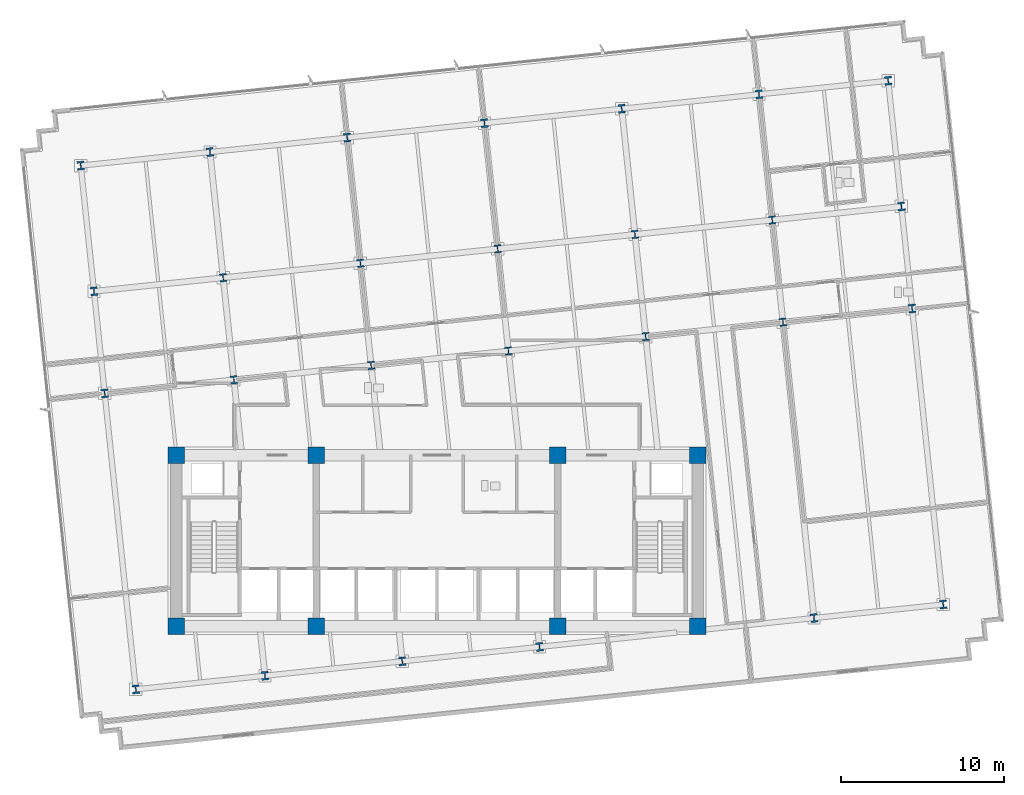
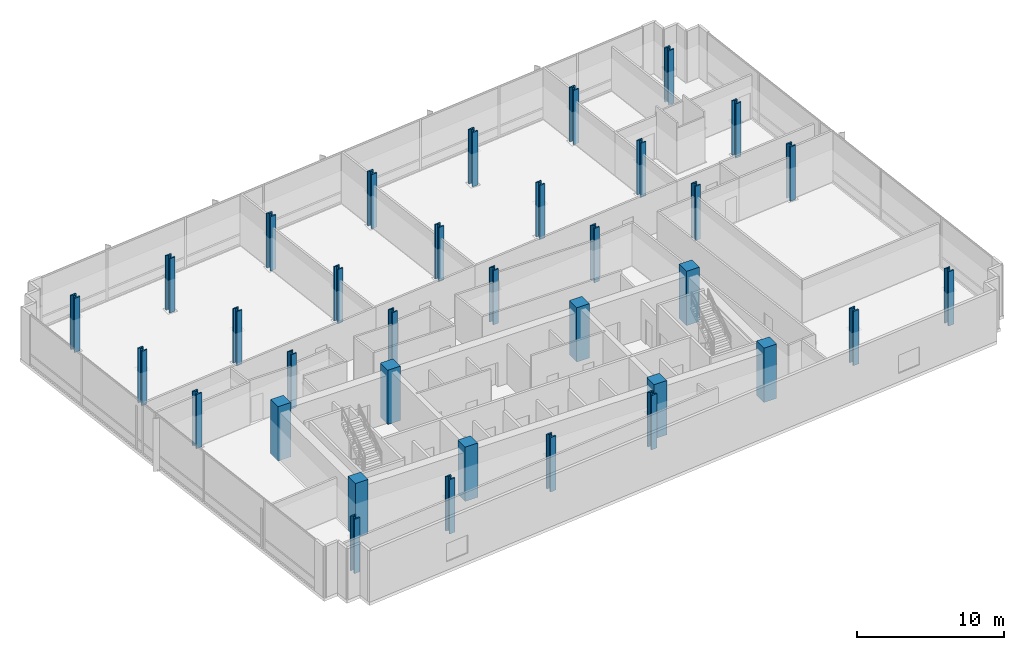
# One storey, part 1 of 20: 35 columns.
"""IFC4 building model written with IfcOpenShell, lengths in metres."""

from ifc_helpers import new_model, si_unit, direction, frame, origin, origin_2d, place, context, subcontext, project, spatial, rectangle, i_section, extrude, material, material_profile, profile_set, type_object, element, save


model = new_model("IFC4")

# Units and contexts
model_context = context("Model", 3, precision=1e-05, world=origin(), true_north=direction((0.0, 1.0)))
body_context = subcontext(model_context, "Body", "Model", "MODEL_VIEW")
ifc_project = project(units=[si_unit("LENGTHUNIT", "METRE"), si_unit("AREAUNIT", "SQUARE_METRE"), si_unit("VOLUMEUNIT", "CUBIC_METRE"), si_unit("PLANEANGLEUNIT", "RADIAN"), si_unit("MASSUNIT", "GRAM", prefix="KILO")], contexts=[model_context])

# Site, building, storey
site_placement = place(None, origin())
site = spatial("IfcSite", under=ifc_project, at=site_placement, CompositionType="ELEMENT")
building_placement = place(site_placement, origin())
building = spatial("IfcBuilding", under=site, at=building_placement, Name="Solmavex Isthmus Hotel", CompositionType="ELEMENT")
storey_placement = place(building_placement, frame((0.0, 0.0, 101.85009765625)))
storey = spatial("IfcBuildingStorey", under=building, at=storey_placement, Name="L27", CompositionType="ELEMENT", Elevation=101.85009765625)

# Columns
ifc_material_1 = material(Name="Concrete C60/75", Category="concrete")
ifc_material_profile_1 = material_profile(ifc_material_1, rectangle(XDim=1.0, YDim=1.0, at=origin_2d()), Name="RC1000X1000")
ifc_profile_set_1 = profile_set([ifc_material_profile_1], Name="Concrete C60/75")
column_type_1 = type_object("IfcColumnType", Name="COL-CC-1000", PredefinedType="COLUMN", material=ifc_profile_set_1)
for number, where, z_axis, x_axis, name in (
    (1, (-16.0, -13.0, 0.0), (0.0, 0.0, 1.0), (1.0, 0.0, 0.0), "Core Pilaster CC-SW L27"),
    (2, (-7.39990234375, -13.0, 0.0), (0.0, 0.0, 1.0), (1.0, 0.0, 0.0), "Core Pilaster CC-S1 L27"),
    (3, (7.39990234375, -13.0, 0.0), (0.0, 0.0, 1.0), (1.0, 0.0, 0.0), "Core Pilaster CC-S2 L27"),
    (4, (16.0, -13.0, 0.0), (0.0, 0.0, 1.0), (1.0, 0.0, 0.0), "Core Pilaster CC-SE L27"),
    (5, (-16.0, -2.5, 0.0), (0.0, 0.0, 1.0), (1.0, 0.0, 0.0), "Core Pilaster CC-NW L27"),
    (6, (-7.39990234375, -2.5, 0.0), (0.0, 0.0, 1.0), (1.0, 0.0, 0.0), "Core Pilaster CC-N1 L27"),
    (7, (7.39990234375, -2.5, 0.0), (0.0, 0.0, 1.0), (1.0, 0.0, 0.0), "Core Pilaster CC-N2 L27"),
    (8, (16.0, -2.5, 0.0), (0.0, 0.0, 1.0), (1.0, 0.0, 0.0), "Core Pilaster CC-NE L27"),
):
    element("IfcColumn", number, at=place(storey_placement, frame(where, z_axis=z_axis, x_axis=x_axis)), inside=storey, type_object=column_type_1, Name=name, PredefinedType="COLUMN", context=body_context, shape_type="SweptSolid", body=[
        extrude(rectangle(XDim=1.0, YDim=1.0, at=origin_2d()), origin(), (0.0, 0.0, 1.0), 4.5),
    ])
ifc_material_2 = material(Name="Steel ASTM A913 Grade 65", Category="steel")
ifc_material_profile_2 = material_profile(ifc_material_2, i_section(OverallWidth=0.43212890625, OverallDepth=0.497802734375, WebThickness=0.0556640625, FlangeThickness=0.0888671875, FilletRadius=0.030517578125, at=origin_2d()), Name="W14X500")
ifc_profile_set_2 = profile_set([ifc_material_profile_2], Name="Steel ASTM A913 Grade 65")
column_type_2 = type_object("IfcColumnType", Name="COL-SC-W14X500", PredefinedType="COLUMN", material=ifc_profile_set_2)
for number, where, z_axis, x_axis, name in (
    (9, (-12.458740234375, 2.11865234375, 0.0), (0.0, 0.0, 1.0), (0.994521895368, 0.104528463268, 0.0), "Tower Column B2-U2V2 L27"),
    (10, (-13.1171875, 8.382080078125, 0.0), (0.0, 0.0, 1.0), (0.994521895368, 0.104528463268, 0.0), "Tower Column B2-U2V3 L27"),
    (11, (-4.0390625, 3.003662109375, 0.0), (0.0, 0.0, 1.0), (0.994521895368, 0.104528463268, 0.0), "Tower Column B2-U3V2 L27"),
    (12, (-4.697509765625, 9.26708984375, 0.0), (0.0, 0.0, 1.0), (0.994521895368, 0.104528463268, 0.0), "Tower Column B2-U3V3 L27"),
    (13, (4.38037109375, 3.888427734375, 0.0), (0.0, 0.0, 1.0), (0.994521895368, 0.104528463268, 0.0), "Tower Column B2-U4V2 L27"),
    (14, (3.72216796875, 10.152099609375, 0.0), (0.0, 0.0, 1.0), (0.994521895368, 0.104528463268, 0.0), "Tower Column B2-U4V3 L27"),
    (15, (12.800048828125, 4.7734375, 0.0), (0.0, 0.0, 1.0), (0.994521895368, 0.104528463268, 0.0), "Tower Column B2-U5V2 L27"),
    (16, (12.141845703125, 11.036865234375, 0.0), (0.0, 0.0, 1.0), (0.994521895368, 0.104528463268, 0.0), "Tower Column B2-U5V3 L27"),
    (17, (21.2197265625, 5.658447265625, 0.0), (0.0, 0.0, 1.0), (0.994521895368, 0.104528463268, 0.0), "Tower Column B2-U6V2 L27"),
    (18, (20.5615234375, 11.921875, 0.0), (0.0, 0.0, 1.0), (0.994521895368, 0.104528463268, 0.0), "Tower Column B2-U6V3 L27"),
):
    element("IfcColumn", number, at=place(storey_placement, frame(where, z_axis=z_axis, x_axis=x_axis)), inside=storey, type_object=column_type_2, Name=name, PredefinedType="COLUMN", context=body_context, shape_type="SweptSolid", body=[
        extrude(i_section(OverallWidth=0.43212890625, OverallDepth=0.497802734375, WebThickness=0.0556640625, FlangeThickness=0.0888671875, FilletRadius=0.030517578125, at=origin_2d()), origin(), (0.0, 0.0, 1.0), 4.5),
    ])
ifc_material_profile_3 = material_profile(ifc_material_2, i_section(OverallWidth=0.442138671875, OverallDepth=0.531494140625, WebThickness=0.06591796875, FlangeThickness=0.105712890625, FilletRadius=0.030517578125, at=origin_2d()), Name="W14X605")
ifc_profile_set_3 = profile_set([ifc_material_profile_3], Name="Steel ASTM A913 Grade 65")
column_type_3 = type_object("IfcColumnType", Name="COL-SC-W14X605", PredefinedType="COLUMN", material=ifc_profile_set_3)
for number, where, z_axis, x_axis, name in (
    (19, (-18.475341796875, -16.8642578125, 0.0), (0.0, 0.0, 1.0), (0.994521895368, 0.104528463268, 0.0), "Tower Column B2-U1V1 L27"),
    (20, (-20.383056640625, 1.28564453125, 0.0), (0.0, 0.0, 1.0), (0.994521895368, 0.104528463268, 0.0), "Tower Column B2-U1V2 L27"),
    (21, (-21.04150390625, 7.54931640625, 0.0), (0.0, 0.0, 1.0), (0.994521895368, 0.104528463268, 0.0), "Tower Column B2-U1V3 L27"),
    (22, (-21.851806640625, 15.2587890625, 0.0), (0.0, 0.0, 1.0), (0.994521895368, 0.104528463268, 0.0), "Tower Column B2-U1V4 L27"),
    (23, (-10.551025390625, -16.031494140625, 0.0), (0.0, 0.0, 1.0), (0.994521895368, 0.104528463268, 0.0), "Tower Column B2-U2V1 L27"),
    (24, (-13.927490234375, 16.091552734375, 0.0), (0.0, 0.0, 1.0), (0.994521895368, 0.104528463268, 0.0), "Tower Column B2-U2V4 L27"),
    (25, (-2.131591796875, -15.146484375, 0.0), (0.0, 0.0, 1.0), (0.994521895368, 0.104528463268, 0.0), "Tower Column B2-U3V1 L27"),
    (26, (-5.5078125, 16.9765625, 0.0), (0.0, 0.0, 1.0), (0.994521895368, 0.104528463268, 0.0), "Tower Column B2-U3V4 L27"),
    (27, (6.2880859375, -14.261474609375, 0.0), (0.0, 0.0, 1.0), (0.994521895368, 0.104528463268, 0.0), "Tower Column B2-U4V1 L27"),
    (28, (2.911865234375, 17.861572265625, 0.0), (0.0, 0.0, 1.0), (0.994521895368, 0.104528463268, 0.0), "Tower Column B2-U4V4 L27"),
    (29, (11.33154296875, 18.74658203125, 0.0), (0.0, 0.0, 1.0), (0.994521895368, 0.104528463268, 0.0), "Tower Column B2-U5V4 L27"),
    (30, (23.12744140625, -12.49169921875, 0.0), (0.0, 0.0, 1.0), (0.994521895368, 0.104528463268, 0.0), "Tower Column B2-U6V1 L27"),
    (31, (19.751220703125, 19.63134765625, 0.0), (0.0, 0.0, 1.0), (0.994521895368, 0.104528463268, 0.0), "Tower Column B2-U6V4 L27"),
    (32, (31.0517578125, -11.65869140625, 0.0), (0.0, 0.0, 1.0), (0.994521895368, 0.104528463268, 0.0), "Tower Column B2-U7V1 L27"),
    (33, (29.14404296875, 6.4912109375, 0.0), (0.0, 0.0, 1.0), (0.994521895368, 0.104528463268, 0.0), "Tower Column B2-U7V2 L27"),
    (34, (28.48583984375, 12.754638671875, 0.0), (0.0, 0.0, 1.0), (0.994521895368, 0.104528463268, 0.0), "Tower Column B2-U7V3 L27"),
    (35, (27.675537109375, 20.46435546875, 0.0), (0.0, 0.0, 1.0), (0.994521895368, 0.104528463268, 0.0), "Tower Column B2-U7V4 L27"),
):
    element("IfcColumn", number, at=place(storey_placement, frame(where, z_axis=z_axis, x_axis=x_axis)), inside=storey, type_object=column_type_3, Name=name, PredefinedType="COLUMN", context=body_context, shape_type="SweptSolid", body=[
        extrude(i_section(OverallWidth=0.442138671875, OverallDepth=0.531494140625, WebThickness=0.06591796875, FlangeThickness=0.105712890625, FilletRadius=0.030517578125, at=origin_2d()), origin(), (0.0, 0.0, 1.0), 4.5),
    ])

save(model, "model.ifc")
